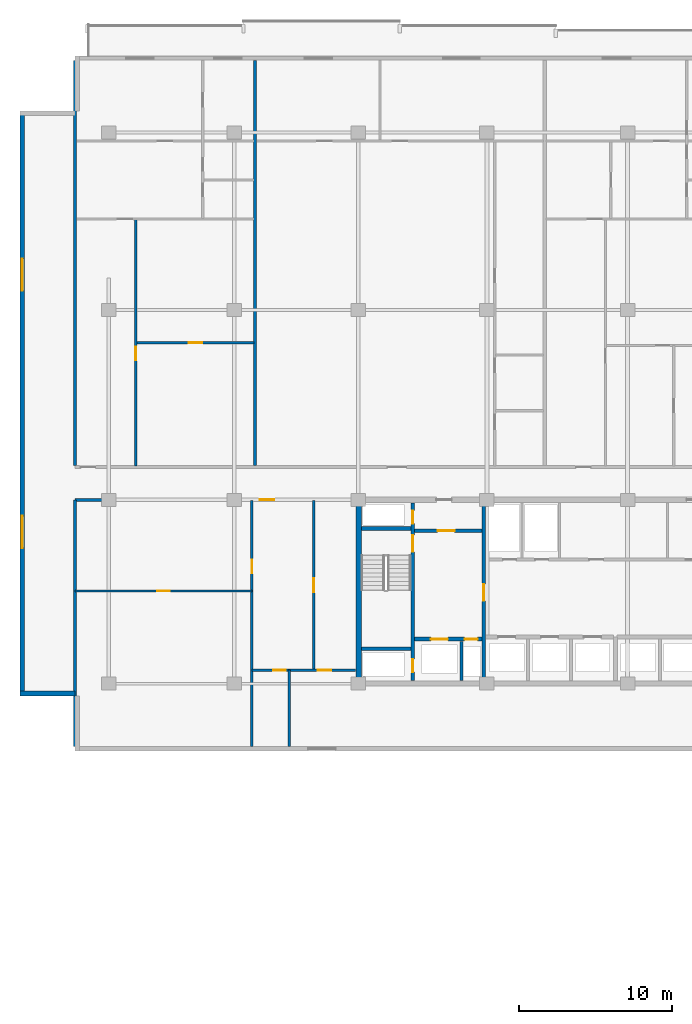
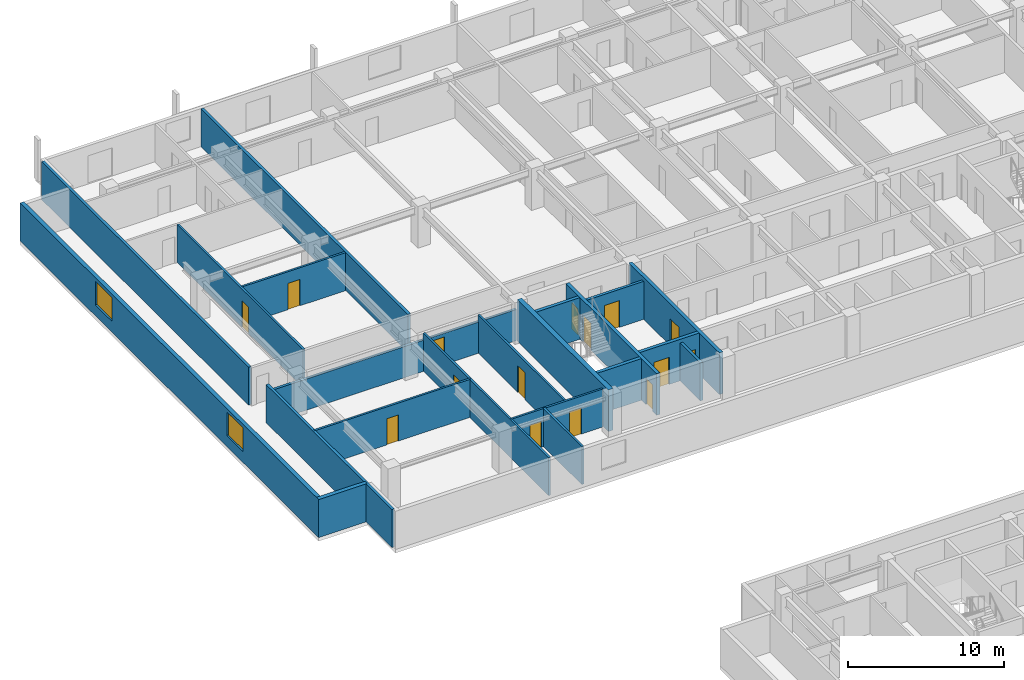
# One storey, part 11 of 22: 21 walls, 15 doors, 2 windows, 17 openings.
"""IFC4 building model written with IfcOpenShell, lengths in metres."""

from ifc_helpers import new_model, si_unit, direction, frame, frame_2d, origin, place, context, subcontext, project, spatial, rectangle, extrude, material, layer, layer_set, type_object, element, fill, save


model = new_model("IFC4")

# Units and contexts
model_context = context("Model", 3, precision=1e-05, world=origin(), true_north=direction((0.0, 1.0)))
body_context = subcontext(model_context, "Body", "Model", "MODEL_VIEW")
ifc_project = project(units=[si_unit("LENGTHUNIT", "METRE"), si_unit("AREAUNIT", "SQUARE_METRE"), si_unit("VOLUMEUNIT", "CUBIC_METRE"), si_unit("PLANEANGLEUNIT", "RADIAN"), si_unit("MASSUNIT", "GRAM", prefix="KILO")], contexts=[model_context])

# Site, building, storey
site_placement = place(None, origin())
site = spatial("IfcSite", under=ifc_project, at=site_placement, CompositionType="ELEMENT")
building_placement = place(site_placement, origin())
building = spatial("IfcBuilding", under=site, at=building_placement, Name="Korimba Cascade Residences", CompositionType="ELEMENT")
storey_placement = place(building_placement, frame((0.0, 0.0, 87.300048828125)))
storey = spatial("IfcBuildingStorey", under=building, at=storey_placement, Name="L24", CompositionType="ELEMENT", Elevation=87.300048828125)

# Wall, openings, windows
ifc_material_1 = material(Name="Precast concrete C40/50", Category="concrete")
ifc_layer_1 = layer(ifc_material_1, 0.300048828125)
ifc_layer_set_1 = layer_set([ifc_layer_1], Name="Precast concrete C40/50")
wall_type_1 = type_object("IfcWallType", Name="EW-STONE-300", PredefinedType="STANDARD", material=ifc_layer_set_1)
wall_1_placement = place(storey_placement, frame((54.14990234375, 92.60009765625, 0.0), z_axis=(0.0, 0.0, 1.0), x_axis=(0.0, -1.0, 0.0)))
wall_1 = element("IfcWall", 1, at=wall_1_placement, inside=storey, type_object=wall_type_1, Name="L24 T1 Perimeter Stone Wall E09", PredefinedType="STANDARD", context=body_context, shape_type="SweptSolid", body=[
    extrude(rectangle(XDim=38.2001953125, YDim=0.300048828125, at=frame_2d((19.10009765625, 0.0))), origin(), (0.0, 0.0, 1.0), 2.969970703125),
])
opening_1_placement = place(wall_1_placement, frame((9.64599609375, 0.0, 0.85009765625)))
opening_1 = element("IfcOpeningElement", 2, at=opening_1_placement, cuts=wall_1, Name="Opening W-03", PredefinedType="OPENING", context=body_context, shape_type="SweptSolid", body=[
    extrude(rectangle(XDim=2.10009765625, YDim=1.85009765625, at=frame_2d((1.050048828125, 0.925048828125))), frame((0.0, 0.16015625, 0.0), z_axis=(0.0, -1.0, 0.0), x_axis=(1.0, 0.0, 0.0)), (0.0, 0.0, 1.0), 0.320068359375),
])
opening_2_placement = place(wall_1_placement, frame((26.4541015625, 0.0, 0.85009765625)))
opening_2 = element("IfcOpeningElement", 3, at=opening_2_placement, cuts=wall_1, Name="Opening W-03", PredefinedType="OPENING", context=body_context, shape_type="SweptSolid", body=[
    extrude(rectangle(XDim=2.10009765625, YDim=1.85009765625, at=frame_2d((1.050048828125, 0.925048828125))), frame((0.0, 0.16015625, 0.0), z_axis=(0.0, -1.0, 0.0), x_axis=(1.0, 0.0, 0.0)), (0.0, 0.0, 1.0), 0.320068359375),
])
ifc_material_2 = material(Name="Double-Glazed Aluminium Window", Category="aluminium")
window_type = type_object("IfcWindowType", Name="WIN-CRN-2100", PartitioningType="DOUBLE_PANEL_HORIZONTAL", PredefinedType="WINDOW", material=ifc_material_2)
window_1_placement = place(opening_1_placement, origin())
window_1 = element("IfcWindow", 4, at=window_1_placement, inside=storey, type_object=window_type, Name="L24 T1 End View Window 9.1", OverallHeight=1.85009765625, OverallWidth=2.10009765625, PartitioningType="DOUBLE_PANEL_HORIZONTAL", PredefinedType="WINDOW", context=body_context, shape_type="SweptSolid", body=[
    extrude(rectangle(XDim=2.10009765625, YDim=1.85009765625, at=frame_2d((1.050048828125, 0.925048828125))), frame((0.0, 0.030029296875, 0.0), z_axis=(0.0, -1.0, 0.0), x_axis=(1.0, 0.0, 0.0)), (0.0, 0.0, 1.0), 0.06005859375),
])
fill(opening_1, window_1)
window_2_placement = place(opening_2_placement, origin())
window_2 = element("IfcWindow", 5, at=window_2_placement, inside=storey, type_object=window_type, Name="L24 T1 End View Window 9.2", OverallHeight=1.85009765625, OverallWidth=2.10009765625, PartitioningType="DOUBLE_PANEL_HORIZONTAL", PredefinedType="WINDOW", context=body_context, shape_type="SweptSolid", body=[
    extrude(rectangle(XDim=2.10009765625, YDim=1.85009765625, at=frame_2d((1.050048828125, 0.925048828125))), frame((0.0, 0.030029296875, 0.0), z_axis=(0.0, -1.0, 0.0), x_axis=(1.0, 0.0, 0.0)), (0.0, 0.0, 1.0), 0.06005859375),
])
fill(opening_2, window_2)

# Walls
wall_2_placement = place(storey_placement, frame((54.0, 54.550048828125, 0.0), z_axis=(0.0, 0.0, 1.0), x_axis=(1.0, 0.0, 0.0)))
element("IfcWall", 6, at=wall_2_placement, inside=storey, type_object=wall_type_1, Name="L24 T1 Perimeter Stone Wall E10", PredefinedType="STANDARD", context=body_context, shape_type="SweptSolid", body=[
    extrude(rectangle(XDim=3.60009765625, YDim=0.300048828125, at=frame_2d((1.800048828125, 0.0))), origin(), (0.0, 0.0, 1.0), 2.969970703125),
])
ifc_material_3 = material(Name="Concrete C65/80", Category="concrete")
ifc_layer_2 = layer(ifc_material_3, 0.35009765625)
ifc_layer_set_2 = layer_set([ifc_layer_2], Name="Concrete C65/80")
wall_type_2 = type_object("IfcWallType", Name="WAL-CORE-350", PredefinedType="SHEAR", material=ifc_layer_set_2)
wall_3_placement = place(storey_placement, frame((76.125, 55.375, 0.0), z_axis=(0.0, 0.0, 1.0), x_axis=(0.0, 1.0, 0.0)))
element("IfcWall", 7, at=wall_3_placement, inside=storey, type_object=wall_type_2, Name="L24 Core Shear Wall CW-L24-T1-W", PredefinedType="SHEAR", context=body_context, shape_type="SweptSolid", body=[
    extrude(rectangle(XDim=11.64990234375, YDim=0.35009765625, at=frame_2d((5.824951171875, 0.0))), origin(), (0.0, 0.0, 1.0), 3.25),
])
ifc_layer_3 = layer(ifc_material_1, 0.199951171875)
ifc_layer_set_3 = layer_set([ifc_layer_3], Name="Precast concrete C40/50")
wall_type_3 = type_object("IfcWallType", Name="WAL-IT-200", PredefinedType="PARTITIONING", material=ifc_layer_set_3)
wall_4_placement = place(storey_placement, frame((57.60009765625, 51.10009765625, 0.0), z_axis=(0.0, 0.0, 1.0), x_axis=(0.0, 1.0, 0.0)))
element("IfcWall", 8, at=wall_4_placement, inside=storey, type_object=wall_type_3, Name="L24 Partition Wall WAL-L24-T1-FW-WL", PredefinedType="PARTITIONING", context=body_context, shape_type="SweptSolid", body=[
    extrude(rectangle(XDim=16.099853515625, YDim=0.199951171875, at=frame_2d((8.0498046875, 0.0))), origin(), (0.0, 0.0, 1.0), 2.969970703125),
])

# Wall, opening, door
wall_5_placement = place(storey_placement, frame((57.60009765625, 67.199951171875, 0.0), z_axis=(0.0, 0.0, 1.0), x_axis=(1.0, 0.0, 0.0)))
wall_5 = element("IfcWall", 9, at=wall_5_placement, inside=storey, type_object=wall_type_3, Name="L24 Partition Wall WAL-L24-T1-FW-N", PredefinedType="PARTITIONING", context=body_context, shape_type="SweptSolid", body=[
    extrude(rectangle(XDim=18.349853515625, YDim=0.199951171875, at=frame_2d((9.1748046875, 0.0))), origin(), (0.0, 0.0, 1.0), 2.433349609375),
])
opening_3_placement = place(wall_5_placement, frame((12.07470703125, 0.0, 0.0)))
opening_3 = element("IfcOpeningElement", 10, at=opening_3_placement, cuts=wall_5, Name="Opening D-UN1", PredefinedType="OPENING", context=body_context, shape_type="SweptSolid", body=[
    extrude(rectangle(XDim=0.949951171875, YDim=2.14990234375, at=frame_2d((0.47509765625, 1.074951171875))), frame((0.0, 0.10986328125, 0.0), z_axis=(0.0, -1.0, 0.0), x_axis=(1.0, 0.0, 0.0)), (0.0, 0.0, 1.0), 0.219970703125),
])
ifc_material_4 = material(Name="Fire-Rated Hardwood Apartment Entrance Door", Category="wood")
door_type_1 = type_object("IfcDoorType", Name="DR-FD60-950", OperationType="NOTDEFINED", PredefinedType="DOOR", material=ifc_material_4)
door_1_placement = place(opening_3_placement, origin())
door_1 = element("IfcDoor", 11, at=door_1_placement, inside=storey, type_object=door_type_1, Name="L24-T1-FW Entrance Door", OperationType="SINGLE_SWING_RIGHT", OverallHeight=2.14990234375, OverallWidth=0.949951171875, PredefinedType="DOOR", context=body_context, shape_type="SweptSolid", body=[
    extrude(rectangle(XDim=0.949951171875, YDim=2.14990234375, at=frame_2d((0.47509765625, 1.074951171875))), frame((0.0, 0.02490234375, 0.0), z_axis=(0.0, -1.0, 0.0), x_axis=(1.0, 0.0, 0.0)), (0.0, 0.0, 1.0), 0.050048828125),
])
fill(opening_3, door_1)

# Walls
for number, where, z_axis, x_axis, name in (
    (12, (57.60009765625, 69.429931640625, 0.0), (0.0, 0.0, 1.0), (0.0, 1.0, 0.0), "L24 Partition Wall WAL-L24-T1-BNDWL"),
    (13, (69.36669921875, 69.429931640625, 0.0), (0.0, 0.0, 1.0), (0.0, 1.0, 0.0), "L24 Partition Wall WAL-L24-T1-DEM-1"),
):
    element("IfcWall", number, at=place(storey_placement, frame(where, z_axis=z_axis, x_axis=x_axis)), inside=storey, type_object=wall_type_3, Name=name, PredefinedType="PARTITIONING", context=body_context, shape_type="SweptSolid", body=[
        extrude(rectangle(XDim=26.469970703125, YDim=0.199951171875, at=frame_2d((13.23486328125, 0.0))), origin(), (0.0, 0.0, 1.0), 2.969970703125),
    ])

# Wall, opening, door
ifc_material_5 = material(Name="Insulated Acoustic Stud Partition", Category="gypsum")
ifc_layer_4 = layer(ifc_material_5, 0.14990234375)
ifc_layer_set_4 = layer_set([ifc_layer_4], Name="Insulated Acoustic Stud Partition")
wall_type_4 = type_object("IfcWallType", Name="WAL-PART-150", PredefinedType="PARTITIONING", material=ifc_layer_set_4)
wall_6_placement = place(storey_placement, frame((57.60009765625, 61.25, 0.0), z_axis=(0.0, 0.0, 1.0), x_axis=(1.0, 0.0, 0.0)))
wall_6 = element("IfcWall", 14, at=wall_6_placement, inside=storey, type_object=wall_type_4, Name="L24 Partition Wall WAL-L24-T1-FW-STH", PredefinedType="PARTITIONING", context=body_context, shape_type="SweptSolid", body=[
    extrude(rectangle(XDim=11.5498046875, YDim=0.14990234375, at=frame_2d((5.77490234375, 0.0))), origin(), (0.0, 0.0, 1.0), 2.969970703125),
])
opening_4_placement = place(wall_6_placement, frame((5.35498046875, 0.0, 0.0)))
opening_4 = element("IfcOpeningElement", 15, at=opening_4_placement, cuts=wall_6, Name="Opening D-BT1", PredefinedType="OPENING", context=body_context, shape_type="SweptSolid", body=[
    extrude(rectangle(XDim=0.840087890625, YDim=2.0400390625, at=frame_2d((0.419921875, 1.02001953125))), frame((0.0, 0.0849609375, 0.0), z_axis=(0.0, -1.0, 0.0), x_axis=(1.0, 0.0, 0.0)), (0.0, 0.0, 1.0), 0.169921875),
])
ifc_material_6 = material(Name="Moisture-Resistant Bathroom Timber Door", Category="wood")
door_type_2 = type_object("IfcDoorType", Name="DR-INT-850", OperationType="NOTDEFINED", PredefinedType="DOOR", material=ifc_material_6)
door_2_placement = place(opening_4_placement, origin())
door_2 = element("IfcDoor", 16, at=door_2_placement, inside=storey, type_object=door_type_2, Name="L24-T1-FW Dressing Store Door", OperationType="SINGLE_SWING_LEFT", OverallHeight=2.0400390625, OverallWidth=0.840087890625, PredefinedType="DOOR", context=body_context, shape_type="SweptSolid", body=[
    extrude(rectangle(XDim=0.840087890625, YDim=2.0400390625, at=frame_2d((0.419921875, 1.02001953125))), frame((0.0, 0.02490234375, 0.0), z_axis=(0.0, -1.0, 0.0), x_axis=(1.0, 0.0, 0.0)), (0.0, 0.0, 1.0), 0.050048828125),
])
fill(opening_4, door_2)

wall_7_placement = place(storey_placement, frame((69.14990234375, 51.10009765625, 0.0), z_axis=(0.0, 0.0, 1.0), x_axis=(0.0, 1.0, 0.0)))
wall_7 = element("IfcWall", 17, at=wall_7_placement, inside=storey, type_object=wall_type_4, Name="L24 Partition Wall WAL-L24-T1-FW-STV", PredefinedType="PARTITIONING", context=body_context, shape_type="SweptSolid", body=[
    extrude(rectangle(XDim=16.0498046875, YDim=0.14990234375, at=frame_2d((8.02490234375, 0.0))), origin(), (0.0, 0.0, 1.0), 2.969970703125),
])
opening_5_placement = place(wall_7_placement, frame((11.300048828125, 0.0, 0.0)))
opening_5 = element("IfcOpeningElement", 18, at=opening_5_placement, cuts=wall_7, Name="Opening D-IN2", PredefinedType="OPENING", context=body_context, shape_type="SweptSolid", body=[
    extrude(rectangle(XDim=0.8798828125, YDim=2.06005859375, at=frame_2d((0.43994140625, 1.030029296875))), frame((0.0, 0.0849609375, 0.0), z_axis=(0.0, -1.0, 0.0), x_axis=(1.0, 0.0, 0.0)), (0.0, 0.0, 1.0), 0.169921875),
])
ifc_material_7 = material(Name="Acoustic Timber Bedroom Door", Category="wood")
door_type_3 = type_object("IfcDoorType", Name="DR-INT-880", OperationType="NOTDEFINED", PredefinedType="DOOR", material=ifc_material_7)
door_3_placement = place(opening_5_placement, origin())
door_3 = element("IfcDoor", 19, at=door_3_placement, inside=storey, type_object=door_type_3, Name="L24-T1-FW Study Door", OperationType="SINGLE_SWING_RIGHT", OverallHeight=2.06005859375, OverallWidth=0.8798828125, PredefinedType="DOOR", context=body_context, shape_type="SweptSolid", body=[
    extrude(rectangle(XDim=0.8798828125, YDim=2.06005859375, at=frame_2d((0.43994140625, 1.030029296875))), frame((0.0, 0.02490234375, 0.0), z_axis=(0.0, -1.0, 0.0), x_axis=(1.0, 0.0, 0.0)), (0.0, 0.0, 1.0), 0.050048828125),
])
fill(opening_5, door_3)

wall_8_placement = place(storey_placement, frame((73.199951171875, 56.070068359375, 0.0), z_axis=(0.0, 0.0, 1.0), x_axis=(0.0, 1.0, 0.0)))
wall_8 = element("IfcWall", 20, at=wall_8_placement, inside=storey, type_object=wall_type_4, Name="L24 Partition Wall WAL-L24-T1-FW-VN", PredefinedType="PARTITIONING", context=body_context, shape_type="SweptSolid", body=[
    extrude(rectangle(XDim=11.079833984375, YDim=0.14990234375, at=frame_2d((5.5400390625, 0.0))), origin(), (0.0, 0.0, 1.0), 2.969970703125),
])
opening_6_placement = place(wall_8_placement, frame((5.080078125, 0.0, 0.0)))
opening_6 = element("IfcOpeningElement", 21, at=opening_6_placement, cuts=wall_8, Name="Opening D-IN1", PredefinedType="OPENING", context=body_context, shape_type="SweptSolid", body=[
    extrude(rectangle(XDim=0.919921875, YDim=2.080078125, at=frame_2d((0.4599609375, 1.0400390625))), frame((0.0, 0.0849609375, 0.0), z_axis=(0.0, -1.0, 0.0), x_axis=(1.0, 0.0, 0.0)), (0.0, 0.0, 1.0), 0.169921875),
])
ifc_material_8 = material(Name="Acoustic Timber Living Door", Category="wood")
door_type_4 = type_object("IfcDoorType", Name="DR-INT-920", OperationType="NOTDEFINED", PredefinedType="DOOR", material=ifc_material_8)
door_4_placement = place(opening_6_placement, origin())
door_4 = element("IfcDoor", 22, at=door_4_placement, inside=storey, type_object=door_type_4, Name="L24-T1-FW Living Door", OperationType="SINGLE_SWING_LEFT", OverallHeight=2.080078125, OverallWidth=0.919921875, PredefinedType="DOOR", context=body_context, shape_type="SweptSolid", body=[
    extrude(rectangle(XDim=0.919921875, YDim=2.080078125, at=frame_2d((0.4599609375, 1.0400390625))), frame((0.0, 0.02490234375, 0.0), z_axis=(0.0, -1.0, 0.0), x_axis=(1.0, 0.0, 0.0)), (0.0, 0.0, 1.0), 0.050048828125),
])
fill(opening_6, door_4)

# Wall
wall_9_placement = place(storey_placement, frame((71.60009765625, 51.10009765625, 0.0), z_axis=(0.0, 0.0, 1.0), x_axis=(0.0, 1.0, 0.0)))
element("IfcWall", 23, at=wall_9_placement, inside=storey, type_object=wall_type_4, Name="L24 Partition Wall WAL-L24-T1-FW-VS", PredefinedType="PARTITIONING", context=body_context, shape_type="SweptSolid", body=[
    extrude(rectangle(XDim=4.969970703125, YDim=0.14990234375, at=frame_2d((2.48486328125, 0.0))), origin(), (0.0, 0.0, 1.0), 2.969970703125),
])

# Wall, openings, doors
wall_10_placement = place(storey_placement, frame((69.169921875, 56.070068359375, 0.0), z_axis=(0.0, 0.0, 1.0), x_axis=(1.0, 0.0, 0.0)))
wall_10 = element("IfcWall", 24, at=wall_10_placement, inside=storey, type_object=wall_type_4, Name="L24 Partition Wall WAL-L24-T1-FW-H", PredefinedType="PARTITIONING", context=body_context, shape_type="SweptSolid", body=[
    extrude(rectangle(XDim=6.760009765625, YDim=0.14990234375, at=frame_2d((3.3798828125, 0.0))), origin(), (0.0, 0.0, 1.0), 2.969970703125),
])
opening_7_placement = place(wall_10_placement, frame((1.3623046875, 0.0, 0.0)))
opening_7 = element("IfcOpeningElement", 25, at=opening_7_placement, cuts=wall_10, Name="Opening D-BT1", PredefinedType="OPENING", context=body_context, shape_type="SweptSolid", body=[
    extrude(rectangle(XDim=0.840087890625, YDim=2.0400390625, at=frame_2d((0.419921875, 1.02001953125))), frame((0.0, 0.0849609375, 0.0), z_axis=(0.0, -1.0, 0.0), x_axis=(1.0, 0.0, 0.0)), (0.0, 0.0, 1.0), 0.169921875),
])
opening_8_placement = place(wall_10_placement, frame((4.276611328125, 0.0, 0.0)))
opening_8 = element("IfcOpeningElement", 26, at=opening_8_placement, cuts=wall_10, Name="Opening D-IN2", PredefinedType="OPENING", context=body_context, shape_type="SweptSolid", body=[
    extrude(rectangle(XDim=0.8798828125, YDim=2.06005859375, at=frame_2d((0.43994140625, 1.030029296875))), frame((0.0, 0.0849609375, 0.0), z_axis=(0.0, -1.0, 0.0), x_axis=(1.0, 0.0, 0.0)), (0.0, 0.0, 1.0), 0.169921875),
])
door_5_placement = place(opening_7_placement, origin())
door_5 = element("IfcDoor", 27, at=door_5_placement, inside=storey, type_object=door_type_2, Name="L24-T1-FW Bathroom Door", OperationType="SINGLE_SWING_RIGHT", OverallHeight=2.0400390625, OverallWidth=0.840087890625, PredefinedType="DOOR", context=body_context, shape_type="SweptSolid", body=[
    extrude(rectangle(XDim=0.840087890625, YDim=2.0400390625, at=frame_2d((0.419921875, 1.02001953125))), frame((0.0, 0.02490234375, 0.0), z_axis=(0.0, -1.0, 0.0), x_axis=(1.0, 0.0, 0.0)), (0.0, 0.0, 1.0), 0.050048828125),
])
fill(opening_7, door_5)
door_6_placement = place(opening_8_placement, origin())
door_6 = element("IfcDoor", 28, at=door_6_placement, inside=storey, type_object=door_type_3, Name="L24-T1-FW Bedroom Door", OperationType="SINGLE_SWING_LEFT", OverallHeight=2.06005859375, OverallWidth=0.8798828125, PredefinedType="DOOR", context=body_context, shape_type="SweptSolid", body=[
    extrude(rectangle(XDim=0.8798828125, YDim=2.06005859375, at=frame_2d((0.43994140625, 1.030029296875))), frame((0.0, 0.02490234375, 0.0), z_axis=(0.0, -1.0, 0.0), x_axis=(1.0, 0.0, 0.0)), (0.0, 0.0, 1.0), 0.050048828125),
])
fill(opening_8, door_6)

# Wall, opening, door
wall_11_placement = place(storey_placement, frame((61.6298828125, 77.4599609375, 0.0), z_axis=(0.0, 0.0, 1.0), x_axis=(1.0, 0.0, 0.0)))
wall_11 = element("IfcWall", 29, at=wall_11_placement, inside=storey, type_object=wall_type_4, Name="L24 Partition Wall WAL-L24-T1-U01-FMH", PredefinedType="PARTITIONING", context=body_context, shape_type="SweptSolid", body=[
    extrude(rectangle(XDim=7.65673828125, YDim=0.14990234375, at=frame_2d((3.828369140625, 0.0))), origin(), (0.0, 0.0, 1.0), 2.969970703125),
])
opening_9_placement = place(wall_11_placement, frame((3.38818359375, 0.0, 0.0)))
opening_9 = element("IfcOpeningElement", 30, at=opening_9_placement, cuts=wall_11, Name="Opening D-IN2", PredefinedType="OPENING", context=body_context, shape_type="SweptSolid", body=[
    extrude(rectangle(XDim=0.8798828125, YDim=2.06005859375, at=frame_2d((0.43994140625, 1.030029296875))), frame((0.0, 0.0849609375, 0.0), z_axis=(0.0, -1.0, 0.0), x_axis=(1.0, 0.0, 0.0)), (0.0, 0.0, 1.0), 0.169921875),
])
door_7_placement = place(opening_9_placement, origin())
door_7 = element("IfcDoor", 31, at=door_7_placement, inside=storey, type_object=door_type_3, Name="L24-T1-U01 Library Salon Door", OperationType="SINGLE_SWING_LEFT", OverallHeight=2.06005859375, OverallWidth=0.8798828125, PredefinedType="DOOR", context=body_context, shape_type="SweptSolid", body=[
    extrude(rectangle(XDim=0.8798828125, YDim=2.06005859375, at=frame_2d((0.43994140625, 1.030029296875))), frame((0.0, 0.02490234375, 0.0), z_axis=(0.0, -1.0, 0.0), x_axis=(1.0, 0.0, 0.0)), (0.0, 0.0, 1.0), 0.050048828125),
])
fill(opening_9, door_7)

wall_12_placement = place(storey_placement, frame((61.570068359375, 69.409912109375, 0.0), z_axis=(0.0, 0.0, 1.0), x_axis=(0.0, 1.0, 0.0)))
wall_12 = element("IfcWall", 32, at=wall_12_placement, inside=storey, type_object=wall_type_4, Name="L24 Partition Wall WAL-L24-T1-U01-FV", PredefinedType="PARTITIONING", context=body_context, shape_type="SweptSolid", body=[
    extrude(rectangle(XDim=16.10009765625, YDim=0.14990234375, at=frame_2d((8.050048828125, 0.0))), origin(), (0.0, 0.0, 1.0), 2.969970703125),
])
opening_10_placement = place(wall_12_placement, frame((6.919921875, 0.0, 0.0)))
opening_10 = element("IfcOpeningElement", 33, at=opening_10_placement, cuts=wall_12, Name="Opening D-IN2", PredefinedType="OPENING", context=body_context, shape_type="SweptSolid", body=[
    extrude(rectangle(XDim=0.8798828125, YDim=2.06005859375, at=frame_2d((0.43994140625, 1.030029296875))), frame((0.0, 0.0849609375, 0.0), z_axis=(0.0, -1.0, 0.0), x_axis=(1.0, 0.0, 0.0)), (0.0, 0.0, 1.0), 0.169921875),
])
door_8_placement = place(opening_10_placement, origin())
door_8 = element("IfcDoor", 34, at=door_8_placement, inside=storey, type_object=door_type_3, Name="L24-T1-U01 Media Lounge Door", OperationType="SINGLE_SWING_RIGHT", OverallHeight=2.06005859375, OverallWidth=0.8798828125, PredefinedType="DOOR", context=body_context, shape_type="SweptSolid", body=[
    extrude(rectangle(XDim=0.8798828125, YDim=2.06005859375, at=frame_2d((0.43994140625, 1.030029296875))), frame((0.0, 0.02490234375, 0.0), z_axis=(0.0, -1.0, 0.0), x_axis=(1.0, 0.0, 0.0)), (0.0, 0.0, 1.0), 0.050048828125),
])
fill(opening_10, door_8)

# Wall
ifc_material_9 = material(Name="Concrete C40/50", Category="concrete")
ifc_layer_5 = layer(ifc_material_9, 0.199951171875)
ifc_layer_set_5 = layer_set([ifc_layer_5], Name="Concrete C40/50")
wall_type_5 = type_object("IfcWallType", Name="WAL-PART-200", PredefinedType="PARTITIONING", material=ifc_layer_set_5)
wall_13_placement = place(storey_placement, frame((82.85009765625, 55.39990234375, 0.0), z_axis=(0.0, 0.0, 1.0), x_axis=(0.0, 1.0, 0.0)))
element("IfcWall", 35, at=wall_13_placement, inside=storey, type_object=wall_type_5, Name="L24 Partition Wall CW-L24-T1-FFLDIV", PredefinedType="PARTITIONING", context=body_context, shape_type="SweptSolid", body=[
    extrude(rectangle(XDim=2.56005859375, YDim=0.199951171875, at=frame_2d((1.280029296875, 0.0))), origin(), (0.0, 0.0, 1.0), 2.969970703125),
])

# Wall, opening, door
wall_14_placement = place(storey_placement, frame((79.7900390625, 65.179931640625, 0.0), z_axis=(0.0, 0.0, 1.0), x_axis=(1.0, 0.0, 0.0)))
wall_14 = element("IfcWall", 36, at=wall_14_placement, inside=storey, type_object=wall_type_5, Name="L24 Partition Wall CW-L24-T1-FFLN", PredefinedType="PARTITIONING", context=body_context, shape_type="SweptSolid", body=[
    extrude(rectangle(XDim=4.389892578125, YDim=0.199951171875, at=frame_2d((2.19482421875, 0.0))), origin(), (0.0, 0.0, 1.0), 2.969970703125),
])
opening_11_placement = place(wall_14_placement, frame((1.5, 0.0, 0.0)))
opening_11 = element("IfcOpeningElement", 37, at=opening_11_placement, cuts=wall_14, Name="Opening D-FD1", PredefinedType="OPENING", context=body_context, shape_type="SweptSolid", body=[
    extrude(rectangle(XDim=1.10009765625, YDim=2.10009765625, at=frame_2d((0.550048828125, 1.050048828125))), frame((0.0, 0.10986328125, 0.0), z_axis=(0.0, -1.0, 0.0), x_axis=(1.0, 0.0, 0.0)), (0.0, 0.0, 1.0), 0.219970703125),
])
ifc_material_10 = material(Name="Fire-Rated Steel Core Door", Category="steel")
door_type_5 = type_object("IfcDoorType", Name="DR-FD120-1100", OperationType="NOTDEFINED", PredefinedType="DOOR", material=ifc_material_10)
door_9_placement = place(opening_11_placement, origin())
door_9 = element("IfcDoor", 38, at=door_9_placement, inside=storey, type_object=door_type_5, Name="L24 West Firefighting Lobby Door", OperationType="SINGLE_SWING_LEFT", OverallHeight=2.10009765625, OverallWidth=1.10009765625, PredefinedType="DOOR", context=body_context, shape_type="SweptSolid", body=[
    extrude(rectangle(XDim=1.10009765625, YDim=2.10009765625, at=frame_2d((0.550048828125, 1.050048828125))), frame((0.0, 0.02490234375, 0.0), z_axis=(0.0, -1.0, 0.0), x_axis=(1.0, 0.0, 0.0)), (0.0, 0.0, 1.0), 0.050048828125),
])
fill(opening_11, door_9)

# Wall, openings, doors
ifc_material_11 = material(Name="Concrete C50/60", Category="concrete")
ifc_layer_6 = layer(ifc_material_11, 0.25)
ifc_layer_set_6 = layer_set([ifc_layer_6], Name="Concrete C50/60")
wall_type_6 = type_object("IfcWallType", Name="WAL-SHAFT-250", PredefinedType="SHEAR", material=ifc_layer_set_6)
wall_15_placement = place(storey_placement, frame((79.6650390625, 55.39990234375, 0.0), z_axis=(0.0, 0.0, 1.0), x_axis=(0.0, 1.0, 0.0)))
wall_15 = element("IfcWall", 39, at=wall_15_placement, inside=storey, type_object=wall_type_6, Name="L24 Core Shear Wall CW-L24-T1-STW1E", PredefinedType="SHEAR", context=body_context, shape_type="SweptSolid", body=[
    extrude(rectangle(XDim=11.60009765625, YDim=0.25, at=frame_2d((5.800048828125, 0.0))), origin(), (0.0, 0.0, 1.0), 3.25),
])
opening_12_placement = place(wall_15_placement, frame((0.550048828125, 0.0, 0.0)))
opening_12 = element("IfcOpeningElement", 40, at=opening_12_placement, cuts=wall_15, Name="Opening D-RS1", PredefinedType="OPENING", context=body_context, shape_type="SweptSolid", body=[
    extrude(rectangle(XDim=0.85009765625, YDim=2.050048828125, at=frame_2d((0.425048828125, 1.02490234375))), frame((0.0, 0.135009765625, 0.0), z_axis=(0.0, -1.0, 0.0), x_axis=(1.0, 0.0, 0.0)), (0.0, 0.0, 1.0), 0.27001953125),
])
opening_13_placement = place(wall_15_placement, frame((8.39990234375, 0.0, 0.0)))
opening_13 = element("IfcOpeningElement", 41, at=opening_13_placement, cuts=wall_15, Name="Opening D-FD1", PredefinedType="OPENING", context=body_context, shape_type="SweptSolid", body=[
    extrude(rectangle(XDim=1.10009765625, YDim=2.10009765625, at=frame_2d((0.550048828125, 1.050048828125))), frame((0.0, 0.135009765625, 0.0), z_axis=(0.0, -1.0, 0.0), x_axis=(1.0, 0.0, 0.0)), (0.0, 0.0, 1.0), 0.27001953125),
])
opening_14_placement = place(wall_15_placement, frame((10.25, 0.0, 0.0)))
opening_14 = element("IfcOpeningElement", 42, at=opening_14_placement, cuts=wall_15, Name="Opening D-RS1", PredefinedType="OPENING", context=body_context, shape_type="SweptSolid", body=[
    extrude(rectangle(XDim=0.85009765625, YDim=2.050048828125, at=frame_2d((0.425048828125, 1.02490234375))), frame((0.0, 0.135009765625, 0.0), z_axis=(0.0, -1.0, 0.0), x_axis=(1.0, 0.0, 0.0)), (0.0, 0.0, 1.0), 0.27001953125),
])
door_10_placement = place(opening_13_placement, origin())
door_10 = element("IfcDoor", 43, at=door_10_placement, inside=storey, type_object=door_type_5, Name="L24 Fire Stair ST-W1 Door", OperationType="SINGLE_SWING_RIGHT", OverallHeight=2.10009765625, OverallWidth=1.10009765625, PredefinedType="DOOR", context=body_context, shape_type="SweptSolid", body=[
    extrude(rectangle(XDim=1.10009765625, YDim=2.10009765625, at=frame_2d((0.550048828125, 1.050048828125))), frame((0.0, 0.02490234375, 0.0), z_axis=(0.0, -1.0, 0.0), x_axis=(1.0, 0.0, 0.0)), (0.0, 0.0, 1.0), 0.050048828125),
])
fill(opening_13, door_10)
ifc_material_12 = material(Name="Fire-Rated Steel Riser Access Door", Category="steel")
door_type_6 = type_object("IfcDoorType", Name="DR-FD60-850", OperationType="NOTDEFINED", PredefinedType="DOOR", material=ifc_material_12)
door_11_placement = place(opening_12_placement, origin())
door_11 = element("IfcDoor", 44, at=door_11_placement, inside=storey, type_object=door_type_6, Name="L24 Smoke Riser Access Door", OperationType="SINGLE_SWING_LEFT", OverallHeight=2.050048828125, OverallWidth=0.85009765625, PredefinedType="DOOR", context=body_context, shape_type="SweptSolid", body=[
    extrude(rectangle(XDim=0.85009765625, YDim=2.050048828125, at=frame_2d((0.425048828125, 1.02490234375))), frame((0.0, 0.02490234375, 0.0), z_axis=(0.0, -1.0, 0.0), x_axis=(1.0, 0.0, 0.0)), (0.0, 0.0, 1.0), 0.050048828125),
])
fill(opening_12, door_11)
door_12_placement = place(opening_14_placement, origin())
door_12 = element("IfcDoor", 45, at=door_12_placement, inside=storey, type_object=door_type_6, Name="L24 Hydrant Riser Access Door", OperationType="SINGLE_SWING_LEFT", OverallHeight=2.050048828125, OverallWidth=0.85009765625, PredefinedType="DOOR", context=body_context, shape_type="SweptSolid", body=[
    extrude(rectangle(XDim=0.85009765625, YDim=2.050048828125, at=frame_2d((0.425048828125, 1.02490234375))), frame((0.0, 0.02490234375, 0.0), z_axis=(0.0, -1.0, 0.0), x_axis=(1.0, 0.0, 0.0)), (0.0, 0.0, 1.0), 0.050048828125),
])
fill(opening_14, door_12)

# Walls
for number, where, z_axis, x_axis, name in (
    (46, (76.300048828125, 57.47509765625, 0.0), (0.0, 0.0, 1.0), (1.0, 0.0, 0.0), "L24 Core Shear Wall CW-L24-T1-STW1S"),
    (47, (76.300048828125, 65.324951171875, 0.0), (0.0, 0.0, 1.0), (1.0, 0.0, 0.0), "L24 Core Shear Wall CW-L24-T1-STW1N"),
):
    element("IfcWall", number, at=place(storey_placement, frame(where, z_axis=z_axis, x_axis=x_axis)), inside=storey, type_object=wall_type_6, Name=name, PredefinedType="SHEAR", context=body_context, shape_type="SweptSolid", body=[
        extrude(rectangle(XDim=3.239990234375, YDim=0.25, at=frame_2d((1.6201171875, 0.0))), origin(), (0.0, 0.0, 1.0), 3.25),
    ])

# Wall, openings, doors
wall_16_placement = place(storey_placement, frame((79.7900390625, 58.10009765625, 0.0), z_axis=(0.0, 0.0, 1.0), x_axis=(1.0, 0.0, 0.0)))
wall_16 = element("IfcWall", 48, at=wall_16_placement, inside=storey, type_object=wall_type_6, Name="L24 Core Shear Wall CW-L24-T1-FFLS", PredefinedType="SHEAR", context=body_context, shape_type="SweptSolid", body=[
    extrude(rectangle(XDim=4.389892578125, YDim=0.25, at=frame_2d((2.19482421875, 0.0))), origin(), (0.0, 0.0, 1.0), 3.25),
])
opening_15_placement = place(wall_16_placement, frame((1.050048828125, 0.0, 0.0)))
opening_15 = element("IfcOpeningElement", 49, at=opening_15_placement, cuts=wall_16, Name="Opening LD-01", PredefinedType="OPENING", context=body_context, shape_type="SweptSolid", body=[
    extrude(rectangle(XDim=1.1201171875, YDim=2.1201171875, at=frame_2d((0.56005859375, 1.06005859375))), frame((0.0, 0.135009765625, 0.0), z_axis=(0.0, -1.0, 0.0), x_axis=(1.0, 0.0, 0.0)), (0.0, 0.0, 1.0), 0.27001953125),
])
opening_16_placement = place(wall_16_placement, frame((3.260009765625, 0.0, 0.0)))
opening_16 = element("IfcOpeningElement", 50, at=opening_16_placement, cuts=wall_16, Name="Opening D-RS1", PredefinedType="OPENING", context=body_context, shape_type="SweptSolid", body=[
    extrude(rectangle(XDim=0.85009765625, YDim=2.050048828125, at=frame_2d((0.425048828125, 1.02490234375))), frame((0.0, 0.135009765625, 0.0), z_axis=(0.0, -1.0, 0.0), x_axis=(1.0, 0.0, 0.0)), (0.0, 0.0, 1.0), 0.27001953125),
])
door_13_placement = place(opening_16_placement, origin())
door_13 = element("IfcDoor", 51, at=door_13_placement, inside=storey, type_object=door_type_6, Name="L24 Pressurisation Riser Door", OperationType="SINGLE_SWING_RIGHT", OverallHeight=2.050048828125, OverallWidth=0.85009765625, PredefinedType="DOOR", context=body_context, shape_type="SweptSolid", body=[
    extrude(rectangle(XDim=0.85009765625, YDim=2.050048828125, at=frame_2d((0.425048828125, 1.02490234375))), frame((0.0, 0.02490234375, 0.0), z_axis=(0.0, -1.0, 0.0), x_axis=(1.0, 0.0, 0.0)), (0.0, 0.0, 1.0), 0.050048828125),
])
fill(opening_16, door_13)
ifc_material_13 = material(Name="Stainless Steel Lift Landing Sliding Door", Category="steel")
door_type_7 = type_object("IfcDoorType", Name="DR-LIFT-1100", OperationType="NOTDEFINED", PredefinedType="DOOR", material=ifc_material_13)
door_14_placement = place(opening_15_placement, origin())
door_14 = element("IfcDoor", 52, at=door_14_placement, inside=storey, type_object=door_type_7, Name="L24 Firefighting Lift Landing Door FFL-W1", OperationType="SLIDING_TO_LEFT", OverallHeight=2.1201171875, OverallWidth=1.1201171875, PredefinedType="DOOR", context=body_context, shape_type="SweptSolid", body=[
    extrude(rectangle(XDim=1.1201171875, YDim=2.1201171875, at=frame_2d((0.56005859375, 1.06005859375))), frame((0.0, 0.02490234375, 0.0), z_axis=(0.0, -1.0, 0.0), x_axis=(1.0, 0.0, 0.0)), (0.0, 0.0, 1.0), 0.050048828125),
])
fill(opening_15, door_14)

# Wall, opening, door
wall_17_placement = place(storey_placement, frame((84.300048828125, 55.39990234375, 0.0), z_axis=(0.0, 0.0, 1.0), x_axis=(0.0, 1.0, 0.0)))
wall_17 = element("IfcWall", 53, at=wall_17_placement, inside=storey, type_object=wall_type_6, Name="L24 Core Shear Wall CW-L24-T1-FFLE", PredefinedType="SHEAR", context=body_context, shape_type="SweptSolid", body=[
    extrude(rectangle(XDim=11.60009765625, YDim=0.25, at=frame_2d((5.800048828125, 0.0))), origin(), (0.0, 0.0, 1.0), 3.25),
])
opening_17_placement = place(wall_17_placement, frame((5.199951171875, 0.0, 0.0)))
opening_17 = element("IfcOpeningElement", 54, at=opening_17_placement, cuts=wall_17, Name="Opening D-FD1", PredefinedType="OPENING", context=body_context, shape_type="SweptSolid", body=[
    extrude(rectangle(XDim=1.10009765625, YDim=2.10009765625, at=frame_2d((0.550048828125, 1.050048828125))), frame((0.0, 0.135009765625, 0.0), z_axis=(0.0, -1.0, 0.0), x_axis=(1.0, 0.0, 0.0)), (0.0, 0.0, 1.0), 0.27001953125),
])
door_15_placement = place(opening_17_placement, origin())
door_15 = element("IfcDoor", 55, at=door_15_placement, inside=storey, type_object=door_type_5, Name="L24 Firefighting Lobby to Lift Lobby Door", OperationType="SINGLE_SWING_RIGHT", OverallHeight=2.10009765625, OverallWidth=1.10009765625, PredefinedType="DOOR", context=body_context, shape_type="SweptSolid", body=[
    extrude(rectangle(XDim=1.10009765625, YDim=2.10009765625, at=frame_2d((0.550048828125, 1.050048828125))), frame((0.0, 0.02490234375, 0.0), z_axis=(0.0, -1.0, 0.0), x_axis=(1.0, 0.0, 0.0)), (0.0, 0.0, 1.0), 0.050048828125),
])
fill(opening_17, door_15)

save(model, "model.ifc")
